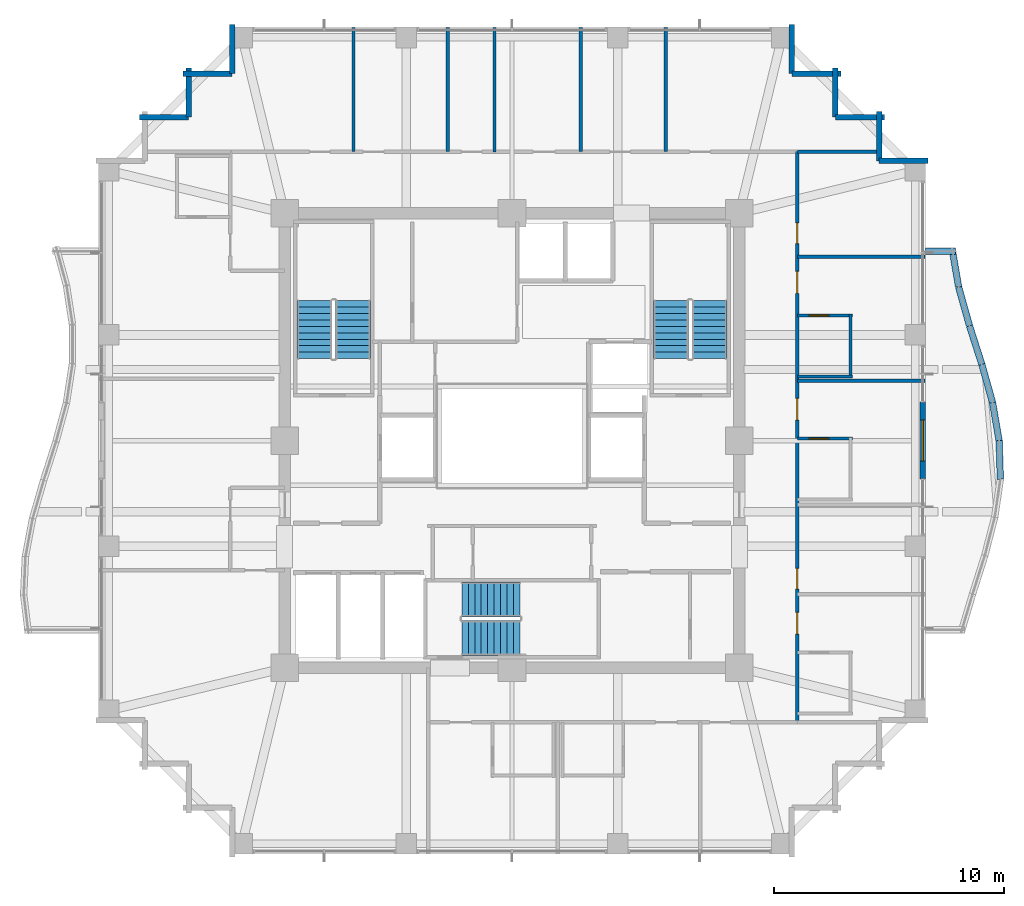
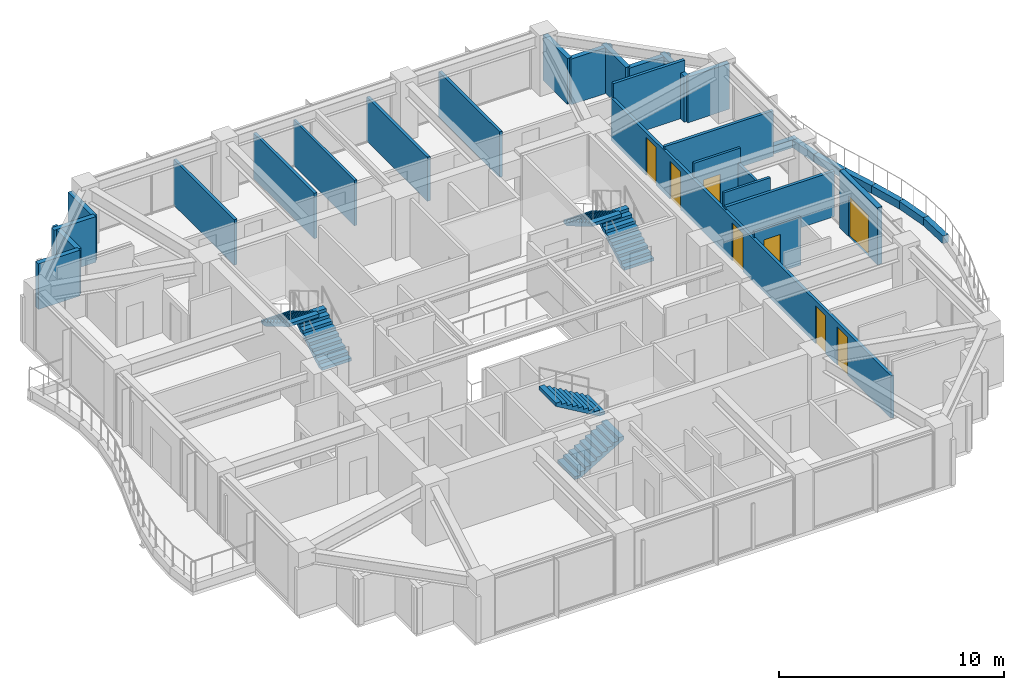
# One storey, part 31 of 33: 31 walls, 8 doors, 6 stair flights, 8 openings, 3 elements without a shape of their own.
"""IFC4 building model written with IfcOpenShell, lengths in metres."""

from ifc_helpers import new_model, si_unit, direction, frame, frame_2d, origin, place, context, subcontext, project, spatial, polyline, rectangle, outline, extrude, material, layer, layer_set, type_object, element, fill, aggregate, save


model = new_model("IFC4")

# Units and contexts
model_context = context("Model", 3, precision=1e-05, world=origin(), true_north=direction((0.0, 1.0)))
body_context = subcontext(model_context, "Body", "Model", "MODEL_VIEW")
ifc_project = project(units=[si_unit("LENGTHUNIT", "METRE"), si_unit("AREAUNIT", "SQUARE_METRE"), si_unit("VOLUMEUNIT", "CUBIC_METRE"), si_unit("PLANEANGLEUNIT", "RADIAN"), si_unit("MASSUNIT", "GRAM", prefix="KILO")], contexts=[model_context])

# Site, building, storey
site_placement = place(None, origin())
site = spatial("IfcSite", under=ifc_project, at=site_placement, CompositionType="ELEMENT")
building_placement = place(site_placement, origin())
building = spatial("IfcBuilding", under=site, at=building_placement, Name="Kolvaren Belvedere", CompositionType="ELEMENT")
storey_placement = place(building_placement, frame((0.0, 0.0, 128.300048828125)))
storey = spatial("IfcBuildingStorey", under=building, at=storey_placement, Name="L37", CompositionType="ELEMENT", Elevation=128.300048828125)

# Wall, openings, doors
ifc_material_1 = material(Name="Gypsum fire-rated partition assembly", Category="gypsum")
ifc_layer_1 = layer(ifc_material_1, 0.14990234375)
ifc_layer_set_1 = layer_set([ifc_layer_1], Name="Gypsum fire-rated partition assembly")
wall_type_1 = type_object("IfcWallType", Name="WL-CORR-150", PredefinedType="PARTITIONING", material=ifc_layer_set_1)
wall_1_placement = place(storey_placement, frame((12.419921875, -12.260009765625, 0.0), z_axis=(0.0, 0.0, 1.0), x_axis=(0.0, 1.0, 0.0)))
wall_1 = element("IfcWall", 1, at=wall_1_placement, inside=storey, type_object=wall_type_1, Name="L37 East Corridor Wall", PredefinedType="PARTITIONING", context=body_context, shape_type="SweptSolid", body=[
    extrude(rectangle(XDim=24.840087890625, YDim=0.14990234375, at=frame_2d((12.419921875, 0.0))), origin(), (0.0, 0.0, 1.0), 2.31201171875),
])
opening_1_placement = place(wall_1_placement, frame((3.831298828125, 0.0, 0.0)))
opening_1 = element("IfcOpeningElement", 2, at=opening_1_placement, cuts=wall_1, Name="Opening D-FD60", PredefinedType="OPENING", context=body_context, shape_type="SweptSolid", body=[
    extrude(rectangle(XDim=0.949951171875, YDim=2.06005859375, at=frame_2d((0.47509765625, 1.030029296875))), frame((0.0, 0.0849609375, 0.0), z_axis=(0.0, -1.0, 0.0), x_axis=(1.0, 0.0, 0.0)), (0.0, 0.0, 1.0), 0.169921875),
])
opening_2_placement = place(wall_1_placement, frame((5.796875, 0.0, 0.0)))
opening_2 = element("IfcOpeningElement", 3, at=opening_2_placement, cuts=wall_1, Name="Opening D-INT90", PredefinedType="OPENING", context=body_context, shape_type="SweptSolid", body=[
    extrude(rectangle(XDim=0.89990234375, YDim=2.06005859375, at=frame_2d((0.449951171875, 1.030029296875))), frame((0.0, 0.0849609375, 0.0), z_axis=(0.0, -1.0, 0.0), x_axis=(1.0, 0.0, 0.0)), (0.0, 0.0, 1.0), 0.169921875),
])
opening_3_placement = place(wall_1_placement, frame((13.146484375, 0.0, 0.0)))
opening_3 = element("IfcOpeningElement", 4, at=opening_3_placement, cuts=wall_1, Name="Opening D-FD60", PredefinedType="OPENING", context=body_context, shape_type="SweptSolid", body=[
    extrude(rectangle(XDim=0.949951171875, YDim=2.06005859375, at=frame_2d((0.47509765625, 1.030029296875))), frame((0.0, 0.0849609375, 0.0), z_axis=(0.0, -1.0, 0.0), x_axis=(1.0, 0.0, 0.0)), (0.0, 0.0, 1.0), 0.169921875),
])
opening_4_placement = place(wall_1_placement, frame((18.673095703125, 0.0, 0.0)))
opening_4 = element("IfcOpeningElement", 5, at=opening_4_placement, cuts=wall_1, Name="Opening D-FD60", PredefinedType="OPENING", context=body_context, shape_type="SweptSolid", body=[
    extrude(rectangle(XDim=0.949951171875, YDim=2.06005859375, at=frame_2d((0.47509765625, 1.030029296875))), frame((0.0, 0.0849609375, 0.0), z_axis=(0.0, -1.0, 0.0), x_axis=(1.0, 0.0, 0.0)), (0.0, 0.0, 1.0), 0.169921875),
])
opening_5_placement = place(wall_1_placement, frame((20.835693359375, 0.0, 0.0)))
opening_5 = element("IfcOpeningElement", 6, at=opening_5_placement, cuts=wall_1, Name="Opening D-INT90", PredefinedType="OPENING", context=body_context, shape_type="SweptSolid", body=[
    extrude(rectangle(XDim=0.89990234375, YDim=2.06005859375, at=frame_2d((0.449951171875, 1.030029296875))), frame((0.0, 0.0849609375, 0.0), z_axis=(0.0, -1.0, 0.0), x_axis=(1.0, 0.0, 0.0)), (0.0, 0.0, 1.0), 0.169921875),
])
ifc_material_2 = material(Name="Acoustic white-oak fire door leaf", Category="timber")
door_type_1 = type_object("IfcDoorType", Name="DR-FD60-950", OperationType="NOTDEFINED", PredefinedType="DOOR", material=ifc_material_2)
door_1_placement = place(opening_1_placement, origin())
door_1 = element("IfcDoor", 7, at=door_1_placement, inside=storey, type_object=door_type_1, Name="L37 Botanical Hospitality Suite 3705 Entry Door", OperationType="SINGLE_SWING_LEFT", OverallHeight=2.06005859375, OverallWidth=0.949951171875, PredefinedType="DOOR", context=body_context, shape_type="SweptSolid", body=[
    extrude(rectangle(XDim=0.949951171875, YDim=2.06005859375, at=frame_2d((0.47509765625, 1.030029296875))), frame((0.0, 0.02490234375, 0.0), z_axis=(0.0, -1.0, 0.0), x_axis=(1.0, 0.0, 0.0)), (0.0, 0.0, 1.0), 0.050048828125),
])
fill(opening_1, door_1)
door_2_placement = place(opening_3_placement, origin())
door_2 = element("IfcDoor", 8, at=door_2_placement, inside=storey, type_object=door_type_1, Name="L37 Botanical Hospitality Suite 3707 Entry Door", OperationType="SINGLE_SWING_RIGHT", OverallHeight=2.06005859375, OverallWidth=0.949951171875, PredefinedType="DOOR", context=body_context, shape_type="SweptSolid", body=[
    extrude(rectangle(XDim=0.949951171875, YDim=2.06005859375, at=frame_2d((0.47509765625, 1.030029296875))), frame((0.0, 0.02490234375, 0.0), z_axis=(0.0, -1.0, 0.0), x_axis=(1.0, 0.0, 0.0)), (0.0, 0.0, 1.0), 0.050048828125),
])
fill(opening_3, door_2)
door_3_placement = place(opening_4_placement, origin())
door_3 = element("IfcDoor", 9, at=door_3_placement, inside=storey, type_object=door_type_1, Name="L37 King Guest Room 3708 Entry Door", OperationType="SINGLE_SWING_RIGHT", OverallHeight=2.06005859375, OverallWidth=0.949951171875, PredefinedType="DOOR", context=body_context, shape_type="SweptSolid", body=[
    extrude(rectangle(XDim=0.949951171875, YDim=2.06005859375, at=frame_2d((0.47509765625, 1.030029296875))), frame((0.0, 0.02490234375, 0.0), z_axis=(0.0, -1.0, 0.0), x_axis=(1.0, 0.0, 0.0)), (0.0, 0.0, 1.0), 0.050048828125),
])
fill(opening_4, door_3)
ifc_material_3 = material(Name="Stained Pacific white oak", Category="timber")
door_type_2 = type_object("IfcDoorType", Name="DR-INT-900", OperationType="NOTDEFINED", PredefinedType="DOOR", material=ifc_material_3)
door_4_placement = place(opening_2_placement, origin())
door_4 = element("IfcDoor", 10, at=door_4_placement, inside=storey, type_object=door_type_2, Name="L37 Lounge 3706 Door", OperationType="SINGLE_SWING_RIGHT", OverallHeight=2.06005859375, OverallWidth=0.89990234375, PredefinedType="DOOR", context=body_context, shape_type="SweptSolid", body=[
    extrude(rectangle(XDim=0.89990234375, YDim=2.06005859375, at=frame_2d((0.449951171875, 1.030029296875))), frame((0.0, 0.02490234375, 0.0), z_axis=(0.0, -1.0, 0.0), x_axis=(1.0, 0.0, 0.0)), (0.0, 0.0, 1.0), 0.050048828125),
])
fill(opening_2, door_4)
door_5_placement = place(opening_5_placement, origin())
door_5 = element("IfcDoor", 11, at=door_5_placement, inside=storey, type_object=door_type_2, Name="L37 Lounge 3709 Door", OperationType="SINGLE_SWING_LEFT", OverallHeight=2.06005859375, OverallWidth=0.89990234375, PredefinedType="DOOR", context=body_context, shape_type="SweptSolid", body=[
    extrude(rectangle(XDim=0.89990234375, YDim=2.06005859375, at=frame_2d((0.449951171875, 1.030029296875))), frame((0.0, 0.02490234375, 0.0), z_axis=(0.0, -1.0, 0.0), x_axis=(1.0, 0.0, 0.0)), (0.0, 0.0, 1.0), 0.050048828125),
])
fill(opening_5, door_5)

# Wall, opening, door
ifc_material_4 = material(Name="Insulated pale-metal facade wall assembly", Category="aluminium")
ifc_layer_2 = layer(ifc_material_4, 0.239990234375)
ifc_layer_set_2 = layer_set([ifc_layer_2], Name="Insulated pale-metal facade wall assembly")
wall_type_2 = type_object("IfcWallType", Name="WL-EXT-240", PredefinedType="STANDARD", material=ifc_layer_set_2)
wall_2_placement = place(storey_placement, frame((17.8798828125, 1.679931640625, 0.0), z_axis=(0.0, 0.0, 1.0), x_axis=(0.0, -1.0, 0.0)))
wall_2 = element("IfcWall", 12, at=wall_2_placement, inside=storey, type_object=wall_type_2, Name="L37 East Terrace Portal Wall", PredefinedType="STANDARD", context=body_context, shape_type="SweptSolid", body=[
    extrude(rectangle(XDim=3.35986328125, YDim=0.239990234375, at=frame_2d((1.679931640625, 0.0))), origin(), (0.0, 0.0, 1.0), 3.099853515625),
])
opening_6_placement = place(wall_2_placement, frame((0.780029296875, 0.0, 0.0)))
opening_6 = element("IfcOpeningElement", 13, at=opening_6_placement, cuts=wall_2, Name="Opening DB-1800", PredefinedType="OPENING", context=body_context, shape_type="SweptSolid", body=[
    extrude(rectangle(XDim=1.800048828125, YDim=2.199951171875, at=frame_2d((0.89990234375, 1.10009765625))), frame((0.0, 0.1298828125, 0.0), z_axis=(0.0, -1.0, 0.0), x_axis=(1.0, 0.0, 0.0)), (0.0, 0.0, 1.0), 0.260009765625),
])
ifc_material_5 = material(Name="Thermally broken pale-metal aluminium & low-iron glass", Category="aluminium")
door_type_3 = type_object("IfcDoorType", Name="DR-BAL-1800", OperationType="DOUBLE_DOOR_SLIDING", PredefinedType="DOOR", material=ifc_material_5)
door_6_placement = place(opening_6_placement, origin())
door_6 = element("IfcDoor", 14, at=door_6_placement, inside=storey, type_object=door_type_3, Name="L37 East Planted Terrace Sliding Door", OperationType="DOUBLE_DOOR_SLIDING", OverallHeight=2.199951171875, OverallWidth=1.800048828125, PredefinedType="DOOR", context=body_context, shape_type="SweptSolid", body=[
    extrude(rectangle(XDim=1.800048828125, YDim=2.199951171875, at=frame_2d((0.89990234375, 1.10009765625))), frame((0.0, 0.02490234375, 0.0), z_axis=(0.0, -1.0, 0.0), x_axis=(1.0, 0.0, 0.0)), (0.0, 0.0, 1.0), 0.050048828125),
])
fill(opening_6, door_6)

# Walls
for number, where, z_axis, x_axis, name in (
    (15, (15.97998046875, 12.179931640625, 0.0), (0.0, 0.0, 1.0), (1.0, 0.0, 0.0), "L37 Serrated Corner Facade Wall 9"),
    (16, (15.97998046875, 14.320068359375, 0.0), (0.0, 0.0, 1.0), (0.0, -1.0, 0.0), "L37 Serrated Corner Facade Wall 10"),
):
    element("IfcWall", number, at=place(storey_placement, frame(where, z_axis=z_axis, x_axis=x_axis)), inside=storey, type_object=wall_type_2, Name=name, PredefinedType="STANDARD", context=body_context, shape_type="SweptSolid", body=[
        extrude(rectangle(XDim=2.14013671875, YDim=0.239990234375, at=frame_2d((1.070068359375, 0.0))), origin(), (0.0, 0.0, 1.0), 2.47900390625),
    ])
for number, where, z_axis, x_axis, name in (
    (17, (14.080078125, 14.080078125, 0.0), (0.0, 0.0, 1.0), (1.0, 0.0, 0.0), "L37 Serrated Corner Facade Wall 11"),
    (18, (14.080078125, 16.219970703125, 0.0), (0.0, 0.0, 1.0), (0.0, -1.0, 0.0), "L37 Serrated Corner Facade Wall 12"),
):
    element("IfcWall", number, at=place(storey_placement, frame(where, z_axis=z_axis, x_axis=x_axis)), inside=storey, type_object=wall_type_2, Name=name, PredefinedType="STANDARD", context=body_context, shape_type="SweptSolid", body=[
        extrude(rectangle(XDim=2.139892578125, YDim=0.239990234375, at=frame_2d((1.06982421875, 0.0))), origin(), (0.0, 0.0, 1.0), 2.47900390625),
    ])
for number, where, z_axis, x_axis, name in (
    (19, (12.179931640625, 15.97998046875, 0.0), (0.0, 0.0, 1.0), (1.0, 0.0, 0.0), "L37 Serrated Corner Facade Wall 13"),
    (20, (12.179931640625, 18.1201171875, 0.0), (0.0, 0.0, 1.0), (0.0, -1.0, 0.0), "L37 Serrated Corner Facade Wall 14"),
    (21, (-12.179931640625, 15.97998046875, 0.0), (0.0, 0.0, 1.0), (0.0, 1.0, 0.0), "L37 Serrated Corner Facade Wall 16"),
    (22, (-14.320068359375, 15.97998046875, 0.0), (0.0, 0.0, 1.0), (1.0, 0.0, 0.0), "L37 Serrated Corner Facade Wall 17"),
):
    element("IfcWall", number, at=place(storey_placement, frame(where, z_axis=z_axis, x_axis=x_axis)), inside=storey, type_object=wall_type_2, Name=name, PredefinedType="STANDARD", context=body_context, shape_type="SweptSolid", body=[
        extrude(rectangle(XDim=2.14013671875, YDim=0.239990234375, at=frame_2d((1.070068359375, 0.0))), origin(), (0.0, 0.0, 1.0), 2.47900390625),
    ])
for number, where, z_axis, x_axis, name in (
    (23, (-14.080078125, 14.080078125, 0.0), (0.0, 0.0, 1.0), (0.0, 1.0, 0.0), "L37 Serrated Corner Facade Wall 18"),
    (24, (-16.219970703125, 14.080078125, 0.0), (0.0, 0.0, 1.0), (1.0, 0.0, 0.0), "L37 Serrated Corner Facade Wall 19"),
):
    element("IfcWall", number, at=place(storey_placement, frame(where, z_axis=z_axis, x_axis=x_axis)), inside=storey, type_object=wall_type_2, Name=name, PredefinedType="STANDARD", context=body_context, shape_type="SweptSolid", body=[
        extrude(rectangle(XDim=2.139892578125, YDim=0.239990234375, at=frame_2d((1.06982421875, 0.0))), origin(), (0.0, 0.0, 1.0), 2.47900390625),
    ])
ifc_material_6 = material(Name="Gypsum acoustic partition assembly", Category="gypsum")
ifc_layer_3 = layer(ifc_material_6, 0.14990234375)
ifc_layer_set_3 = layer_set([ifc_layer_3], Name="Gypsum acoustic partition assembly")
wall_type_3 = type_object("IfcWallType", Name="WL-PART-150", PredefinedType="PARTITIONING", material=ifc_layer_set_3)
wall_3_placement = place(storey_placement, frame((12.419921875, 12.580078125, 0.0), z_axis=(0.0, 0.0, 1.0), x_axis=(1.0, 0.0, 0.0)))
element("IfcWall", 25, at=wall_3_placement, inside=storey, type_object=wall_type_3, Name="L37 Wing Divider PW-L37-QNE", PredefinedType="PARTITIONING", context=body_context, shape_type="SweptSolid", body=[
    extrude(rectangle(XDim=3.66015625, YDim=0.14990234375, at=frame_2d((1.830078125, 0.0))), origin(), (0.0, 0.0, 1.0), 3.099853515625),
])
for number, where, z_axis, x_axis, name in (
    (26, (-6.89990234375, 12.580078125, 0.0), (0.0, 0.0, 1.0), (0.0, 1.0, 0.0), "L37 North Suite Demising Wall 1"),
    (27, (-2.800048828125, 12.580078125, 0.0), (0.0, 0.0, 1.0), (0.0, 1.0, 0.0), "L37 North Suite Demising Wall 2"),
):
    element("IfcWall", number, at=place(storey_placement, frame(where, z_axis=z_axis, x_axis=x_axis)), inside=storey, type_object=wall_type_3, Name=name, PredefinedType="PARTITIONING", context=body_context, shape_type="SweptSolid", body=[
        extrude(rectangle(XDim=5.39990234375, YDim=0.14990234375, at=frame_2d((2.699951171875, 0.0))), origin(), (0.0, 0.0, 1.0), 2.468994140625),
    ])
wall_4_placement = place(storey_placement, frame((3.0, 12.580078125, 0.0), z_axis=(0.0, 0.0, 1.0), x_axis=(0.0, 1.0, 0.0)))
element("IfcWall", 28, at=wall_4_placement, inside=storey, type_object=wall_type_3, Name="L37 North Suite Demising Wall 3", PredefinedType="PARTITIONING", context=body_context, shape_type="SweptSolid", body=[
    extrude(rectangle(XDim=5.39990234375, YDim=0.14990234375, at=frame_2d((2.699951171875, 0.0))), origin(), (0.0, 0.0, 1.0), 2.388916015625),
])
wall_5_placement = place(storey_placement, frame((6.699951171875, 12.580078125, 0.0), z_axis=(0.0, 0.0, 1.0), x_axis=(0.0, 1.0, 0.0)))
element("IfcWall", 29, at=wall_5_placement, inside=storey, type_object=wall_type_3, Name="L37 North Suite Demising Wall 4", PredefinedType="PARTITIONING", context=body_context, shape_type="SweptSolid", body=[
    extrude(rectangle(XDim=5.39990234375, YDim=0.14990234375, at=frame_2d((2.699951171875, 0.0))), origin(), (0.0, 0.0, 1.0), 2.468994140625),
])
for number, where, z_axis, x_axis, name in (
    (30, (12.419921875, 2.60009765625, 0.0), (0.0, 0.0, 1.0), (1.0, 0.0, 0.0), "L37 East Suite Demising Wall 3"),
    (31, (12.419921875, 8.0, 0.0), (0.0, 0.0, 1.0), (1.0, 0.0, 0.0), "L37 East Suite Demising Wall 4"),
):
    element("IfcWall", number, at=place(storey_placement, frame(where, z_axis=z_axis, x_axis=x_axis)), inside=storey, type_object=wall_type_3, Name=name, PredefinedType="PARTITIONING", context=body_context, shape_type="SweptSolid", body=[
        extrude(rectangle(XDim=5.56005859375, YDim=0.14990234375, at=frame_2d((2.780029296875, 0.0))), origin(), (0.0, 0.0, 1.0), 2.468994140625),
    ])
ifc_material_7 = material(Name="Precast concrete C40/50", Category="concrete")
ifc_layer_4 = layer(ifc_material_7, 0.300048828125)
ifc_layer_set_4 = layer_set([ifc_layer_4], Name="Precast concrete C40/50")
wall_type_4 = type_object("IfcWallType", Name="WL-PLANTER-300", PredefinedType="PARAPET", material=ifc_layer_set_4)
wall_6_placement = place(storey_placement, frame((21.260009765625, -1.68505859375, -0.02001953125), z_axis=(0.0, 0.0, 1.0), x_axis=(-0.031370777138, 0.999507816048, 0.0)))
element("IfcWall", 32, at=wall_6_placement, inside=storey, type_object=wall_type_4, Name="L37 Precast Structural Planter Wall BAL-E-5", PredefinedType="PARAPET", context=body_context, shape_type="SweptSolid", body=[
    extrude(rectangle(XDim=1.680908203125, YDim=0.280029296875, at=frame_2d((0.84033203125, 0.0))), origin(), (0.0, 0.0, 1.0), 0.419921875),
])
wall_7_placement = place(storey_placement, frame((21.20947265625, -0.027099609375, -0.02001953125), z_axis=(0.0, 0.0, 1.0), x_axis=(-0.168856484225, 0.985640648378, 0.0)))
element("IfcWall", 33, at=wall_7_placement, inside=storey, type_object=wall_type_4, Name="L37 Precast Structural Planter Wall BAL-E-6", PredefinedType="PARAPET", context=body_context, shape_type="SweptSolid", body=[
    extrude(rectangle(XDim=1.70458984375, YDim=0.280029296875, at=frame_2d((0.852294921875, 0.0))), origin(), (0.0, 0.0, 1.0), 0.419921875),
])
wall_8_placement = place(storey_placement, frame((20.92529296875, 1.63671875, -0.02001953125), z_axis=(0.0, 0.0, 1.0), x_axis=(-0.269764860108, 0.962926227834, 0.0)))
element("IfcWall", 34, at=wall_8_placement, inside=storey, type_object=wall_type_4, Name="L37 Precast Structural Planter Wall BAL-E-7", PredefinedType="PARAPET", context=body_context, shape_type="SweptSolid", body=[
    extrude(rectangle(XDim=1.744873046875, YDim=0.280029296875, at=frame_2d((0.87255859375, 0.0))), origin(), (0.0, 0.0, 1.0), 0.419921875),
])
wall_9_placement = place(storey_placement, frame((20.456298828125, 3.311279296875, -0.02001953125), z_axis=(0.0, 0.0, 1.0), x_axis=(-0.304660208284, 0.952461105499, 0.0)))
element("IfcWall", 35, at=wall_9_placement, inside=storey, type_object=wall_type_4, Name="L37 Precast Structural Planter Wall BAL-E-8", PredefinedType="PARAPET", context=body_context, shape_type="SweptSolid", body=[
    extrude(rectangle(XDim=1.763671875, YDim=0.280029296875, at=frame_2d((0.8818359375, 0.0))), origin(), (0.0, 0.0, 1.0), 0.419921875),
])
wall_10_placement = place(storey_placement, frame((19.917236328125, 4.996826171875, -0.02001953125), z_axis=(0.0, 0.0, 1.0), x_axis=(-0.269801210823, 0.962916043401, 0.0)))
element("IfcWall", 36, at=wall_10_placement, inside=storey, type_object=wall_type_4, Name="L37 Precast Structural Planter Wall BAL-E-9", PredefinedType="PARAPET", context=body_context, shape_type="SweptSolid", body=[
    extrude(rectangle(XDim=1.74462890625, YDim=0.280029296875, at=frame_2d((0.872314453125, 0.0))), origin(), (0.0, 0.0, 1.0), 0.419921875),
])
wall_11_placement = place(storey_placement, frame((19.443115234375, 6.693115234375, -0.02001953125), z_axis=(0.0, 0.0, 1.0), x_axis=(-0.16888032392, 0.985636563949, 0.0)))
element("IfcWall", 37, at=wall_11_placement, inside=storey, type_object=wall_type_4, Name="L37 Precast Structural Planter Wall BAL-E-10", PredefinedType="PARAPET", context=body_context, shape_type="SweptSolid", body=[
    extrude(rectangle(XDim=1.704345703125, YDim=0.280029296875, at=frame_2d((0.85205078125, 0.0))), origin(), (0.0, 0.0, 1.0), 0.419921875),
])
wall_12_placement = place(storey_placement, frame((19.31298828125, 8.239990234375, -0.02001953125), z_axis=(0.0, 0.0, 1.0), x_axis=(-1.0, 0.0, 0.0)))
element("IfcWall", 38, at=wall_12_placement, inside=storey, type_object=wall_type_4, Name="L37 Precast Structural Planter Wall BAL-E-11", PredefinedType="PARAPET", context=body_context, shape_type="SweptSolid", body=[
    extrude(rectangle(XDim=1.31298828125, YDim=0.280029296875, at=frame_2d((0.656494140625, 0.0))), origin(), (0.0, 0.0, 1.0), 0.419921875),
])
ifc_material_8 = material(Name="Moisture-resistant gypsum partition", Category="gypsum")
ifc_layer_5 = layer(ifc_material_8, 0.125)
ifc_layer_set_5 = layer_set([ifc_layer_5], Name="Moisture-resistant gypsum partition")
wall_type_5 = type_object("IfcWallType", Name="WL-WET-125", PredefinedType="PARTITIONING", material=ifc_layer_set_5)
wall_13_placement = place(storey_placement, frame((-0.76806640625, 12.554931640625, 0.0), z_axis=(0.0, 0.0, 1.0), x_axis=(0.0, 1.0, 0.0)))
element("IfcWall", 39, at=wall_13_placement, inside=storey, type_object=wall_type_5, Name="L37 Housekeeping Washroom Divider", PredefinedType="PARTITIONING", context=body_context, shape_type="SweptSolid", body=[
    extrude(rectangle(XDim=5.425048828125, YDim=0.125, at=frame_2d((2.71240234375, 0.0))), origin(), (0.0, 0.0, 1.0), 2.468994140625),
])

# Wall, opening, door
wall_14_placement = place(storey_placement, frame((12.43505859375, 0.083984375, 0.0), z_axis=(0.0, 0.0, 1.0), x_axis=(1.0, 0.0, 0.0)))
wall_14 = element("IfcWall", 40, at=wall_14_placement, inside=storey, type_object=wall_type_5, Name="L37 Bathroom Partition PW-L37-BTH-7-N", PredefinedType="PARTITIONING", context=body_context, shape_type="SweptSolid", body=[
    extrude(rectangle(XDim=2.389892578125, YDim=0.125, at=frame_2d((1.19482421875, 0.0))), origin(), (0.0, 0.0, 1.0), 2.625),
])
opening_7_placement = place(wall_14_placement, frame((0.5, 0.0, 0.0)))
opening_7 = element("IfcOpeningElement", 41, at=opening_7_placement, cuts=wall_14, Name="Opening D-BTH85", PredefinedType="OPENING", context=body_context, shape_type="SweptSolid", body=[
    extrude(rectangle(XDim=0.85009765625, YDim=2.030029296875, at=frame_2d((0.425048828125, 1.01513671875))), frame((0.0, 0.072509765625, 0.0), z_axis=(0.0, -1.0, 0.0), x_axis=(1.0, 0.0, 0.0)), (0.0, 0.0, 1.0), 0.14501953125),
])
ifc_material_9 = material(Name="Moisture-sealed Pacific white oak", Category="timber")
door_type_4 = type_object("IfcDoorType", Name="DR-BATH-850", OperationType="NOTDEFINED", PredefinedType="DOOR", material=ifc_material_9)
door_7_placement = place(opening_7_placement, origin())
door_7 = element("IfcDoor", 42, at=door_7_placement, inside=storey, type_object=door_type_4, Name="L37 En-Suite Bathroom 3707 Door", OperationType="SINGLE_SWING_LEFT", OverallHeight=2.030029296875, OverallWidth=0.85009765625, PredefinedType="DOOR", context=body_context, shape_type="SweptSolid", body=[
    extrude(rectangle(XDim=0.85009765625, YDim=2.030029296875, at=frame_2d((0.425048828125, 1.01513671875))), frame((0.0, 0.02490234375, 0.0), z_axis=(0.0, -1.0, 0.0), x_axis=(1.0, 0.0, 0.0)), (0.0, 0.0, 1.0), 0.050048828125),
])
fill(opening_7, door_7)

wall_15_placement = place(storey_placement, frame((12.43505859375, 5.445068359375, 0.0), z_axis=(0.0, 0.0, 1.0), x_axis=(1.0, 0.0, 0.0)))
wall_15 = element("IfcWall", 43, at=wall_15_placement, inside=storey, type_object=wall_type_5, Name="L37 Bathroom Partition PW-L37-BTH-8-N", PredefinedType="PARTITIONING", context=body_context, shape_type="SweptSolid", body=[
    extrude(rectangle(XDim=2.389892578125, YDim=0.125, at=frame_2d((1.19482421875, 0.0))), origin(), (0.0, 0.0, 1.0), 3.099853515625),
])
opening_8_placement = place(wall_15_placement, frame((0.5, 0.0, 0.0)))
opening_8 = element("IfcOpeningElement", 44, at=opening_8_placement, cuts=wall_15, Name="Opening D-BTH85", PredefinedType="OPENING", context=body_context, shape_type="SweptSolid", body=[
    extrude(rectangle(XDim=0.85009765625, YDim=2.030029296875, at=frame_2d((0.425048828125, 1.01513671875))), frame((0.0, 0.072509765625, 0.0), z_axis=(0.0, -1.0, 0.0), x_axis=(1.0, 0.0, 0.0)), (0.0, 0.0, 1.0), 0.14501953125),
])
door_8_placement = place(opening_8_placement, origin())
door_8 = element("IfcDoor", 45, at=door_8_placement, inside=storey, type_object=door_type_4, Name="L37 En-Suite Bathroom 3708 Door", OperationType="SINGLE_SWING_LEFT", OverallHeight=2.030029296875, OverallWidth=0.85009765625, PredefinedType="DOOR", context=body_context, shape_type="SweptSolid", body=[
    extrude(rectangle(XDim=0.85009765625, YDim=2.030029296875, at=frame_2d((0.425048828125, 1.01513671875))), frame((0.0, 0.02490234375, 0.0), z_axis=(0.0, -1.0, 0.0), x_axis=(1.0, 0.0, 0.0)), (0.0, 0.0, 1.0), 0.050048828125),
])
fill(opening_8, door_8)

# Walls
wall_16_placement = place(storey_placement, frame((14.7451171875, 2.735107421875, 0.0), z_axis=(0.0, 0.0, 1.0), x_axis=(0.0, 1.0, 0.0)))
element("IfcWall", 46, at=wall_16_placement, inside=storey, type_object=wall_type_5, Name="L37 Bathroom Partition PW-L37-BTH-8-V", PredefinedType="PARTITIONING", context=body_context, shape_type="SweptSolid", body=[
    extrude(rectangle(XDim=2.769775390625, YDim=0.125, at=frame_2d((1.384765625, 0.0))), origin(), (0.0, 0.0, 1.0), 2.31201171875),
])
wall_17_placement = place(storey_placement, frame((12.43505859375, 2.794921875, 0.0), z_axis=(0.0, 0.0, 1.0), x_axis=(1.0, 0.0, 0.0)))
element("IfcWall", 47, at=wall_17_placement, inside=storey, type_object=wall_type_5, Name="L37 Bathroom Partition PW-L37-BTH-8-S", PredefinedType="PARTITIONING", context=body_context, shape_type="SweptSolid", body=[
    extrude(rectangle(XDim=2.389892578125, YDim=0.125, at=frame_2d((1.19482421875, 0.0))), origin(), (0.0, 0.0, 1.0), 3.099853515625),
])

# Stair, stair flights
ifc_material_10 = material(Name="Concrete C50/60", Category="concrete")
stair_type = type_object("IfcStairType", Name="ST-CORE-1520", PredefinedType="HALF_TURN_STAIR", material=ifc_material_10)
stair_1_placement = place(storey_placement, origin())
stair_1 = element("IfcStair", 48, at=stair_1_placement, inside=storey, type_object=stair_type, Name="L37 Protected Exit Stair ST-1", PredefinedType="HALF_TURN_STAIR")
ifc_material_11 = material(Name="Concrete C50/60", Category="concrete")
stair_flight_type = type_object("IfcStairFlightType", Name="SF-STR-1520", PredefinedType="STRAIGHT", material=ifc_material_11)
stair_flight_1_placement = place(storey_placement, frame((-6.919921875, 3.570068359375, 0.0), z_axis=(0.0, 0.0, 1.0), x_axis=(0.0, 1.0, 0.0)))
stair_flight_1 = element("IfcStairFlight", 49, at=stair_flight_1_placement, type_object=stair_flight_type, Name="ST-1 flight 1", NumberOfRisers=10, NumberOfTreads=9, PredefinedType="STRAIGHT", RiserHeight=0.165, TreadLength=0.28, context=body_context, shape_type="SweptSolid", body=[
    extrude(outline(polyline([(0.0, 0.0), (0.0, 0.1650390625), (0.280029296875, 0.1650390625), (0.280029296875, 0.330078125), (0.56005859375, 0.330078125), (0.56005859375, 0.4951171875), (0.840087890625, 0.4951171875), (0.840087890625, 0.659912109375), (1.1201171875, 0.659912109375), (1.1201171875, 0.824951171875), (1.39990234375, 0.824951171875), (1.39990234375, 0.989990234375), (1.679931640625, 0.989990234375), (1.679931640625, 1.155029296875), (1.9599609375, 1.155029296875), (1.9599609375, 1.320068359375), (2.239990234375, 1.320068359375), (2.239990234375, 1.485107421875), (2.52001953125, 1.485107421875), (2.52001953125, 1.64990234375), (2.52001953125, 1.31103515625), (0.295166015625, 0.0), (0.0, 0.0)])), frame((0.0, 0.760009765625, 0.0), z_axis=(0.0, -1.0, 0.0), x_axis=(1.0, 0.0, 0.0)), (0.0, 0.0, 1.0), 1.52001953125),
])
stair_flight_2_placement = place(storey_placement, frame((-8.590087890625, 6.090087890625, 1.64990234375), z_axis=(0.0, 0.0, 1.0), x_axis=(0.0, -1.0, 0.0)))
stair_flight_2 = element("IfcStairFlight", 50, at=stair_flight_2_placement, type_object=stair_flight_type, Name="ST-1 flight 2", NumberOfRisers=10, NumberOfTreads=9, PredefinedType="STRAIGHT", RiserHeight=0.165, TreadLength=0.28, context=body_context, shape_type="SweptSolid", body=[
    extrude(outline(polyline([(0.0, 0.0), (0.0, 0.1650390625), (0.280029296875, 0.1650390625), (0.280029296875, 0.330078125), (0.56005859375, 0.330078125), (0.56005859375, 0.4951171875), (0.840087890625, 0.4951171875), (0.840087890625, 0.659912109375), (1.1201171875, 0.659912109375), (1.1201171875, 0.824951171875), (1.39990234375, 0.824951171875), (1.39990234375, 0.989990234375), (1.679931640625, 0.989990234375), (1.679931640625, 1.155029296875), (1.9599609375, 1.155029296875), (1.9599609375, 1.320068359375), (2.239990234375, 1.320068359375), (2.239990234375, 1.485107421875), (2.52001953125, 1.485107421875), (2.52001953125, 1.64990234375), (2.52001953125, 1.31103515625), (0.295166015625, 0.0), (0.0, 0.0)])), frame((0.0, 0.760009765625, 0.0), z_axis=(0.0, -1.0, 0.0), x_axis=(1.0, 0.0, 0.0)), (0.0, 0.0, 1.0), 1.52001953125),
])
aggregate(stair_1, [stair_flight_1, stair_flight_2])

stair_2_placement = place(storey_placement, origin())
stair_2 = element("IfcStair", 51, at=stair_2_placement, inside=storey, type_object=stair_type, Name="L37 Protected Exit Stair ST-2", PredefinedType="HALF_TURN_STAIR")
stair_flight_3_placement = place(storey_placement, frame((8.590087890625, 3.570068359375, 0.0), z_axis=(0.0, 0.0, 1.0), x_axis=(0.0, 1.0, 0.0)))
stair_flight_3 = element("IfcStairFlight", 52, at=stair_flight_3_placement, type_object=stair_flight_type, Name="ST-2 flight 1", NumberOfRisers=10, NumberOfTreads=9, PredefinedType="STRAIGHT", RiserHeight=0.165, TreadLength=0.28, context=body_context, shape_type="SweptSolid", body=[
    extrude(outline(polyline([(0.0, 0.0), (0.0, 0.1650390625), (0.280029296875, 0.1650390625), (0.280029296875, 0.330078125), (0.56005859375, 0.330078125), (0.56005859375, 0.4951171875), (0.840087890625, 0.4951171875), (0.840087890625, 0.659912109375), (1.1201171875, 0.659912109375), (1.1201171875, 0.824951171875), (1.39990234375, 0.824951171875), (1.39990234375, 0.989990234375), (1.679931640625, 0.989990234375), (1.679931640625, 1.155029296875), (1.9599609375, 1.155029296875), (1.9599609375, 1.320068359375), (2.239990234375, 1.320068359375), (2.239990234375, 1.485107421875), (2.52001953125, 1.485107421875), (2.52001953125, 1.64990234375), (2.52001953125, 1.31103515625), (0.295166015625, 0.0), (0.0, 0.0)])), frame((0.0, 0.760009765625, 0.0), z_axis=(0.0, -1.0, 0.0), x_axis=(1.0, 0.0, 0.0)), (0.0, 0.0, 1.0), 1.52001953125),
])
stair_flight_4_placement = place(storey_placement, frame((6.919921875, 6.090087890625, 1.64990234375), z_axis=(0.0, 0.0, 1.0), x_axis=(0.0, -1.0, 0.0)))
stair_flight_4 = element("IfcStairFlight", 53, at=stair_flight_4_placement, type_object=stair_flight_type, Name="ST-2 flight 2", NumberOfRisers=10, NumberOfTreads=9, PredefinedType="STRAIGHT", RiserHeight=0.165, TreadLength=0.28, context=body_context, shape_type="SweptSolid", body=[
    extrude(outline(polyline([(0.0, 0.0), (0.0, 0.1650390625), (0.280029296875, 0.1650390625), (0.280029296875, 0.330078125), (0.56005859375, 0.330078125), (0.56005859375, 0.4951171875), (0.840087890625, 0.4951171875), (0.840087890625, 0.659912109375), (1.1201171875, 0.659912109375), (1.1201171875, 0.824951171875), (1.39990234375, 0.824951171875), (1.39990234375, 0.989990234375), (1.679931640625, 0.989990234375), (1.679931640625, 1.155029296875), (1.9599609375, 1.155029296875), (1.9599609375, 1.320068359375), (2.239990234375, 1.320068359375), (2.239990234375, 1.485107421875), (2.52001953125, 1.485107421875), (2.52001953125, 1.64990234375), (2.52001953125, 1.31103515625), (0.295166015625, 0.0), (0.0, 0.0)])), frame((0.0, 0.760009765625, 0.0), z_axis=(0.0, -1.0, 0.0), x_axis=(1.0, 0.0, 0.0)), (0.0, 0.0, 1.0), 1.52001953125),
])
aggregate(stair_2, [stair_flight_3, stair_flight_4])

stair_3_placement = place(storey_placement, origin())
stair_3 = element("IfcStair", 54, at=stair_3_placement, inside=storey, type_object=stair_type, Name="L37 Protected Exit Stair ST-3", PredefinedType="HALF_TURN_STAIR")
stair_flight_5_placement = place(storey_placement, frame((-2.179931640625, -8.590087890625, 0.0), z_axis=(0.0, 0.0, 1.0), x_axis=(1.0, 0.0, 0.0)))
stair_flight_5 = element("IfcStairFlight", 55, at=stair_flight_5_placement, type_object=stair_flight_type, Name="ST-3 flight 1", NumberOfRisers=10, NumberOfTreads=9, PredefinedType="STRAIGHT", RiserHeight=0.165, TreadLength=0.28, context=body_context, shape_type="SweptSolid", body=[
    extrude(outline(polyline([(0.0, 0.0), (0.0, 0.1650390625), (0.280029296875, 0.1650390625), (0.280029296875, 0.330078125), (0.56005859375, 0.330078125), (0.56005859375, 0.4951171875), (0.840087890625, 0.4951171875), (0.840087890625, 0.659912109375), (1.1201171875, 0.659912109375), (1.1201171875, 0.824951171875), (1.39990234375, 0.824951171875), (1.39990234375, 0.989990234375), (1.679931640625, 0.989990234375), (1.679931640625, 1.155029296875), (1.9599609375, 1.155029296875), (1.9599609375, 1.320068359375), (2.239990234375, 1.320068359375), (2.239990234375, 1.485107421875), (2.52001953125, 1.485107421875), (2.52001953125, 1.64990234375), (2.52001953125, 1.31103515625), (0.295166015625, 0.0), (0.0, 0.0)])), frame((0.0, 0.760009765625, 0.0), z_axis=(0.0, -1.0, 0.0), x_axis=(1.0, 0.0, 0.0)), (0.0, 0.0, 1.0), 1.52001953125),
])
stair_flight_6_placement = place(storey_placement, frame((0.340087890625, -6.919921875, 1.64990234375), z_axis=(0.0, 0.0, 1.0), x_axis=(-1.0, 0.0, 0.0)))
stair_flight_6 = element("IfcStairFlight", 56, at=stair_flight_6_placement, type_object=stair_flight_type, Name="ST-3 flight 2", NumberOfRisers=10, NumberOfTreads=9, PredefinedType="STRAIGHT", RiserHeight=0.165, TreadLength=0.28, context=body_context, shape_type="SweptSolid", body=[
    extrude(outline(polyline([(0.0, 0.0), (0.0, 0.1650390625), (0.280029296875, 0.1650390625), (0.280029296875, 0.330078125), (0.56005859375, 0.330078125), (0.56005859375, 0.4951171875), (0.840087890625, 0.4951171875), (0.840087890625, 0.659912109375), (1.1201171875, 0.659912109375), (1.1201171875, 0.824951171875), (1.39990234375, 0.824951171875), (1.39990234375, 0.989990234375), (1.679931640625, 0.989990234375), (1.679931640625, 1.155029296875), (1.9599609375, 1.155029296875), (1.9599609375, 1.320068359375), (2.239990234375, 1.320068359375), (2.239990234375, 1.485107421875), (2.52001953125, 1.485107421875), (2.52001953125, 1.64990234375), (2.52001953125, 1.31103515625), (0.295166015625, 0.0), (0.0, 0.0)])), frame((0.0, 0.760009765625, 0.0), z_axis=(0.0, -1.0, 0.0), x_axis=(1.0, 0.0, 0.0)), (0.0, 0.0, 1.0), 1.52001953125),
])
aggregate(stair_3, [stair_flight_5, stair_flight_6])

save(model, "model.ifc")
